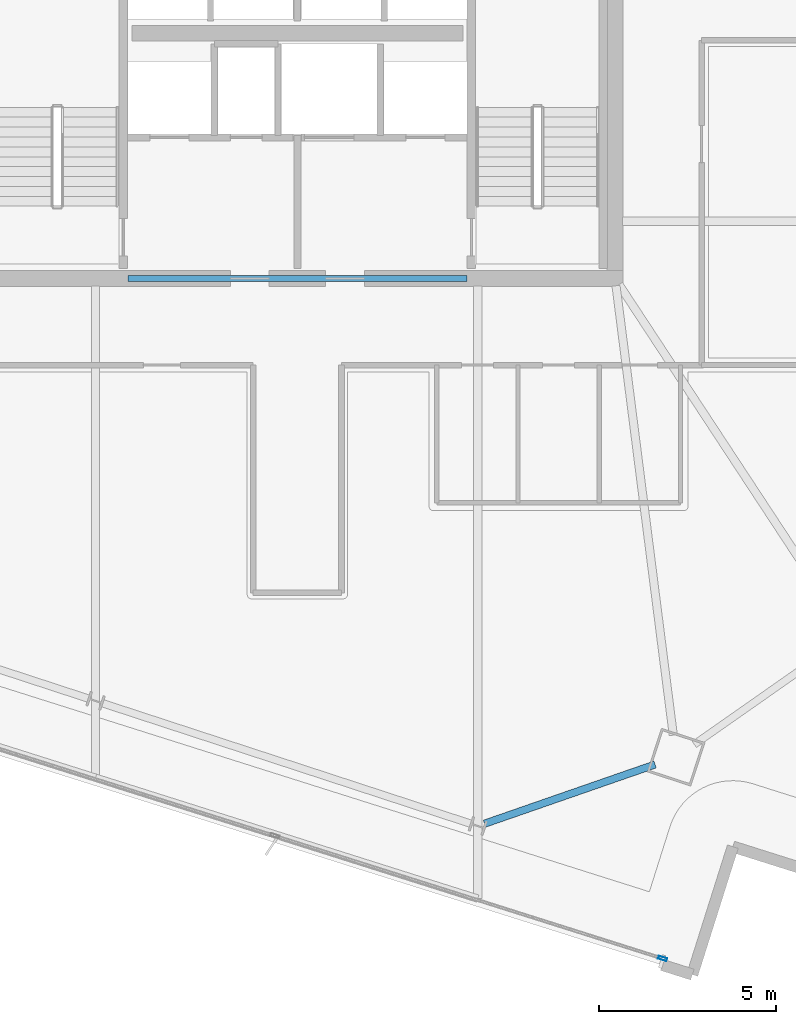
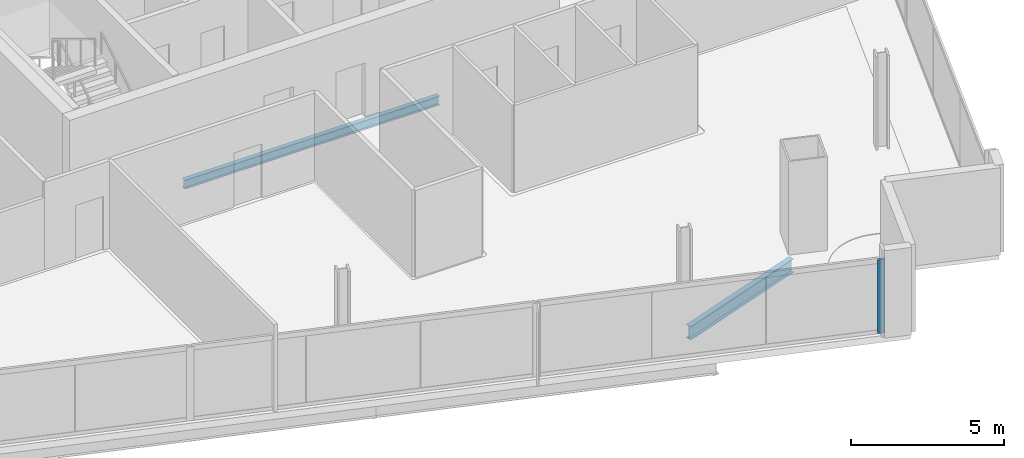
# One storey, part 6 of 26: 2 beams, 1 member, 1 element without a shape of its own.
"""IFC4 building model written with IfcOpenShell, lengths in metres."""

from ifc_helpers import new_model, si_unit, direction, frame, origin, origin_2d, place, context, subcontext, project, spatial, hollow_rectangle, i_section, extrude, material, material_profile, profile_set, type_object, element, aggregate, save


model = new_model("IFC4")

# Units and contexts
model_context = context("Model", 3, precision=1e-05, world=origin(), true_north=direction((0.0, 1.0)))
body_context = subcontext(model_context, "Body", "Model", "MODEL_VIEW")
ifc_project = project(units=[si_unit("LENGTHUNIT", "METRE"), si_unit("AREAUNIT", "SQUARE_METRE"), si_unit("VOLUMEUNIT", "CUBIC_METRE"), si_unit("PLANEANGLEUNIT", "RADIAN"), si_unit("MASSUNIT", "GRAM", prefix="KILO")], contexts=[model_context])

# Site, building, storey
site_placement = place(None, origin())
site = spatial("IfcSite", under=ifc_project, at=site_placement, CompositionType="ELEMENT")
building_placement = place(site_placement, origin())
building = spatial("IfcBuilding", under=site, at=building_placement, Name="Haldenkirk Collegiate Tower", CompositionType="ELEMENT")
storey_placement = place(building_placement, frame((0.0, 0.0, 271.199951171875)))
storey = spatial("IfcBuildingStorey", under=building, at=storey_placement, Name="L68", CompositionType="ELEMENT", Elevation=271.199951171875)

# Beams
ifc_material_1 = material(Name="Steel ASTM A992 Grade 50", Category="steel")
ifc_material_profile_1 = material_profile(ifc_material_1, i_section(OverallWidth=0.1708984375, OverallDepth=0.35595703125, WebThickness=0.007080078125, FlangeThickness=0.01171875, at=origin_2d()), Name="W14X34")
ifc_profile_set_1 = profile_set([ifc_material_profile_1], Name="Steel ASTM A992 Grade 50")
beam_type_1 = type_object("IfcBeamType", Name="BM-LINTEL-W14X34", PredefinedType="LINTEL", material=ifc_profile_set_1)
beam_1_placement = place(storey_placement, frame((31.199951171875, 18.0, -0.447998046875), z_axis=(1.0, 0.0, 0.0), x_axis=(0.0, 1.0, 0.0)))
element("IfcBeam", 1, at=beam_1_placement, inside=storey, type_object=beam_type_1, Name="L68 south core coupling lintel", PredefinedType="LINTEL", context=body_context, shape_type="SweptSolid", body=[
    extrude(i_section(OverallWidth=0.1708984375, OverallDepth=0.35595703125, WebThickness=0.007080078125, FlangeThickness=0.01171875, at=origin_2d()), origin(), (0.0, 0.0, 1.0), 9.60009765625),
])
ifc_material_profile_2 = material_profile(ifc_material_1, i_section(OverallWidth=0.2099609375, OverallDepth=0.537109375, WebThickness=0.010986328125, FlangeThickness=0.017333984375, at=origin_2d()), Name="W21X68")
ifc_profile_set_2 = profile_set([ifc_material_profile_2], Name="Steel ASTM A992 Grade 50")
beam_type_2 = type_object("IfcBeamType", Name="BM-SPANDREL-W21X68", PredefinedType="SPANDREL", material=ifc_profile_set_2)
beam_2_placement = place(storey_placement, frame((41.302490234375, 2.56103515625, -0.538330078125), z_axis=(0.944700169719, 0.327935343221, 0.0), x_axis=(-0.327935343221, 0.944700169719, 0.0)))
element("IfcBeam", 2, at=beam_2_placement, inside=storey, type_object=beam_type_2, Name="L68 perimeter spandrel beam 16", PredefinedType="SPANDREL", context=body_context, shape_type="SweptSolid", body=[
    extrude(i_section(OverallWidth=0.2099609375, OverallDepth=0.537109375, WebThickness=0.010986328125, FlangeThickness=0.017333984375, at=origin_2d()), origin(), (0.0, 0.0, 1.0), 5.113037109375),
])

# Curtain wall, member
ifc_material_2 = material(Name="Anodised architectural bronze aluminium", Category="aluminium")
curtain_wall_type = type_object("IfcCurtainWallType", Name="CW-SYS1B-CONVEX-HI", PredefinedType="USERDEFINED", material=ifc_material_2)
curtain_wall_placement = place(storey_placement, origin())
curtain_wall = element("IfcCurtainWall", 3, at=curtain_wall_placement, inside=storey, type_object=curtain_wall_type, Name="L68 Upper tower high-wind convex bronze unitised curtain wall", ObjectType="UNITISED CURTAIN WALL", PredefinedType="USERDEFINED")
ifc_material_profile_3 = material_profile(ifc_material_2, hollow_rectangle(XDim=0.0849609375, YDim=0.25, WallThickness=0.0048828125, at=origin_2d()), Name="CW-MUL-1B")
ifc_profile_set_3 = profile_set([ifc_material_profile_3], Name="Anodised architectural bronze aluminium")
member_type = type_object("IfcMemberType", Name="CW-MUL-1B", PredefinedType="MULLION", material=ifc_profile_set_3)
member_placement = place(storey_placement, frame((46.3447265625, -1.258056640625, 0.0), z_axis=(0.0, 0.0, 1.0), x_axis=(-0.301537400144, -0.95345434936, 0.0)))
member = element("IfcMember", 4, at=member_placement, type_object=member_type, Name="CW-1B mullion 1", PredefinedType="MULLION", context=body_context, shape_type="SweptSolid", body=[
    extrude(hollow_rectangle(XDim=0.0849609375, YDim=0.25, WallThickness=0.0048828125, at=origin_2d()), origin(), (0.0, 0.0, 1.0), 2.93798828125),
])
aggregate(curtain_wall, [member])

save(model, "model.ifc")
